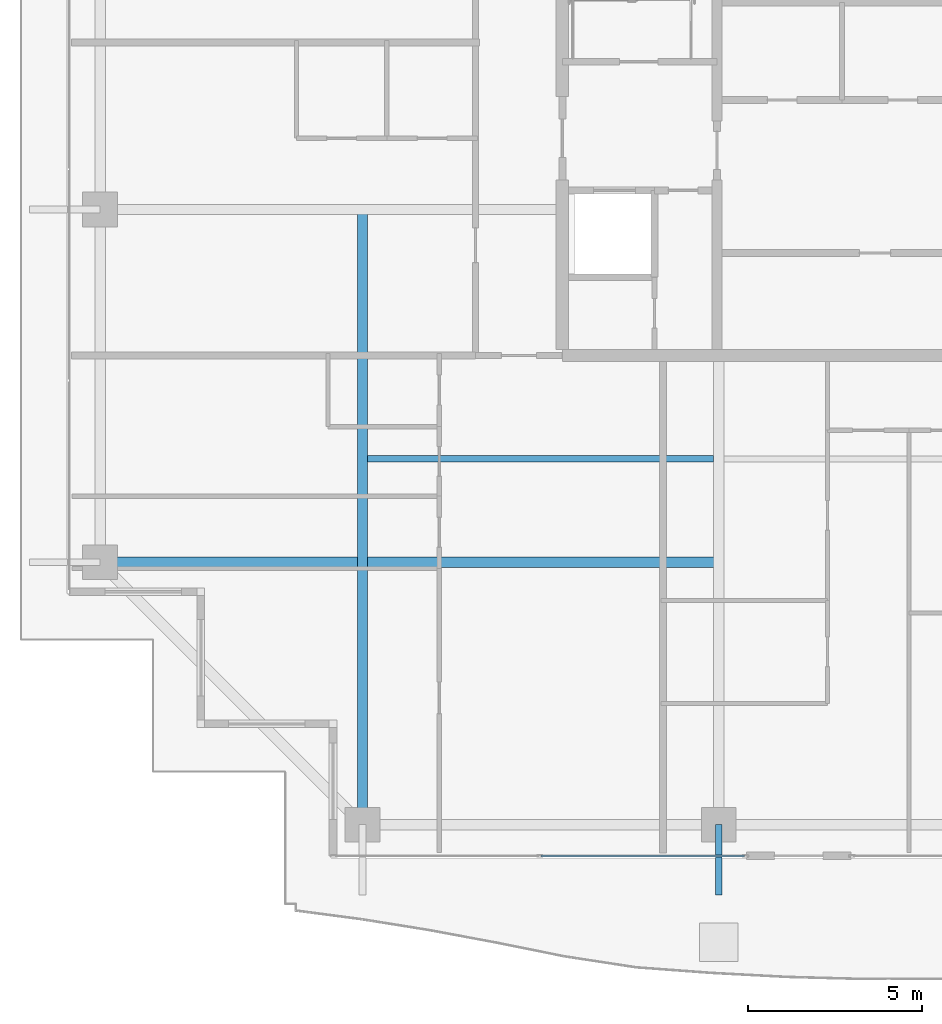
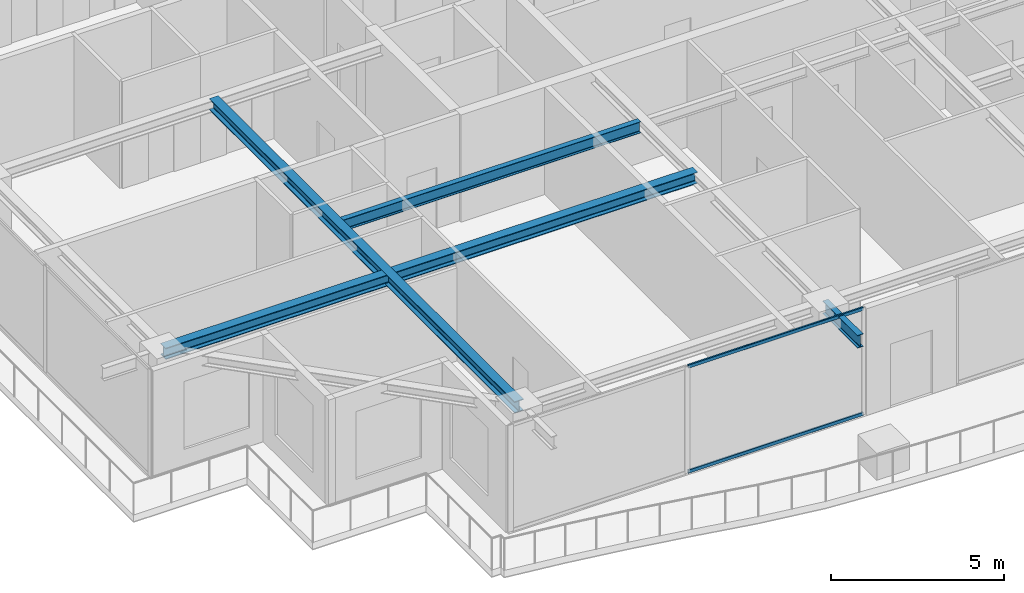
# One storey, part 5 of 42: 4 beams, 2 members, 1 element without a shape of its own.
"""IFC4 building model written with IfcOpenShell, lengths in metres."""

from ifc_helpers import new_model, si_unit, direction, frame, origin, origin_2d, place, context, subcontext, project, spatial, hollow_rectangle, i_section, extrude, source, transform, mapped, material, layer, layer_set, material_profile, profile_set, type_object, element, aggregate, save


model = new_model("IFC4")

# Units and contexts
model_context = context("Model", 3, precision=1e-05, world=origin(), true_north=direction((0.0, 1.0)))
body_context = subcontext(model_context, "Body", "Model", "MODEL_VIEW")
ifc_project = project(units=[si_unit("LENGTHUNIT", "METRE"), si_unit("AREAUNIT", "SQUARE_METRE"), si_unit("VOLUMEUNIT", "CUBIC_METRE"), si_unit("PLANEANGLEUNIT", "RADIAN"), si_unit("MASSUNIT", "GRAM", prefix="KILO")], contexts=[model_context])

# Site, building, storey
site_placement = place(None, origin())
site = spatial("IfcSite", under=ifc_project, at=site_placement, CompositionType="ELEMENT")
building_placement = place(site_placement, origin())
building = spatial("IfcBuilding", under=site, at=building_placement, Name="Serunith Strait Residences", CompositionType="ELEMENT")
storey_placement = place(building_placement, frame((0.0, 0.0, 325.85009765625)))
storey = spatial("IfcBuildingStorey", under=building, at=storey_placement, Name="L81", CompositionType="ELEMENT", Elevation=325.85009765625)

# Beams
ifc_material_1 = material(Name="Steel S355J2", Category="steel")
ifc_material_profile_1 = material_profile(ifc_material_1, i_section(OverallWidth=0.300048828125, OverallDepth=0.39990234375, WebThickness=0.013427734375, FlangeThickness=0.02392578125, FilletRadius=0.027099609375, at=origin_2d()), Name="HEB 400")
ifc_profile_set_1 = profile_set([ifc_material_profile_1], Name="Steel S355J2")
beam_type_1 = type_object("IfcBeamType", Name="BM-HEB400", PredefinedType="BEAM", material=ifc_profile_set_1)
shared_shape_1 = source(origin(), body_context, "Body", "SweptSolid", [
    extrude(i_section(OverallWidth=0.300048828125, OverallDepth=0.39990234375, WebThickness=0.013427734375, FlangeThickness=0.02392578125, FilletRadius=0.027099609375, at=origin_2d()), origin(), (0.0, 0.0, 1.0), 17.699951171875),
])
beam_1_placement = place(storey_placement, frame((17.64990234375, 21.0, 3.5869140625), z_axis=(0.0, -1.0, 0.0), x_axis=(1.0, 0.0, 0.0)))
element("IfcBeam", 1, at=beam_1_placement, inside=storey, type_object=beam_type_1, Name="L81 Orthogonal Corner Girder TC-S1", PredefinedType="BEAM", context=body_context, shape_type="MappedRepresentation", body=[
    mapped(shared_shape_1, transform((0.0, 0.0, 0.0), scale=1.0)),
])
shared_shape_2 = source(origin(), body_context, "Body", "SweptSolid", [
    extrude(i_section(OverallWidth=0.300048828125, OverallDepth=0.39990234375, WebThickness=0.013427734375, FlangeThickness=0.02392578125, FilletRadius=0.027099609375, at=origin_2d()), origin(), (0.0, 0.0, 1.0), 17.7998046875),
])
beam_2_placement = place(storey_placement, frame((27.89990234375, 10.85009765625, 3.5869140625), z_axis=(-1.0, 0.0, 0.0), x_axis=(0.0, -1.0, 0.0)))
element("IfcBeam", 2, at=beam_2_placement, inside=storey, type_object=beam_type_1, Name="L81 Orthogonal Corner Girder TC-W1", PredefinedType="BEAM", context=body_context, shape_type="MappedRepresentation", body=[
    mapped(shared_shape_2, transform((0.0, 0.0, 0.0), scale=1.0)),
])
ifc_material_profile_2 = material_profile(ifc_material_1, i_section(OverallWidth=0.179931640625, OverallDepth=0.39990234375, WebThickness=0.008544921875, FlangeThickness=0.013427734375, FilletRadius=0.02099609375, at=origin_2d()), Name="IPE 400")
ifc_profile_set_2 = profile_set([ifc_material_profile_2], Name="Steel S355J2")
beam_type_2 = type_object("IfcBeamType", Name="BM-IPE400", PredefinedType="JOIST", material=ifc_profile_set_2)
shared_shape_3 = source(origin(), body_context, "Body", "SweptSolid", [
    extrude(i_section(OverallWidth=0.179931640625, OverallDepth=0.39990234375, WebThickness=0.008544921875, FlangeThickness=0.013427734375, FilletRadius=0.02099609375, at=origin_2d()), origin(), (0.0, 0.0, 1.0), 9.949951171875),
])
beam_3_placement = place(storey_placement, frame((17.800048828125, 13.824951171875, 3.5869140625), z_axis=(1.0, 0.0, 0.0), x_axis=(0.0, 1.0, 0.0)))
element("IfcBeam", 3, at=beam_3_placement, inside=storey, type_object=beam_type_2, Name="L81 Composite Floor Joist 01", PredefinedType="JOIST", context=body_context, shape_type="MappedRepresentation", body=[
    mapped(shared_shape_3, transform((0.0, 0.0, 0.0), scale=1.0)),
])
ifc_material_profile_3 = material_profile(ifc_material_1, i_section(OverallWidth=0.18994140625, OverallDepth=0.449951171875, WebThickness=0.009521484375, FlangeThickness=0.0146484375, FilletRadius=0.02099609375, at=origin_2d()), Name="IPE 450")
ifc_profile_set_3 = profile_set([ifc_material_profile_3], Name="Steel S355J2")
beam_type_3 = type_object("IfcBeamType", Name="BM-IPE450", PredefinedType="JOIST", material=ifc_profile_set_3)
shared_shape_4 = source(origin(), body_context, "Body", "SweptSolid", [
    extrude(i_section(OverallWidth=0.18994140625, OverallDepth=0.449951171875, WebThickness=0.009521484375, FlangeThickness=0.0146484375, FilletRadius=0.02099609375, at=origin_2d()), origin(), (0.0, 0.0, 1.0), 2.030029296875),
])
beam_4_placement = place(storey_placement, frame((27.89990234375, 3.300048828125, 3.531982421875), z_axis=(0.0, -1.0, 0.0), x_axis=(1.0, 0.0, 0.0)))
element("IfcBeam", 4, at=beam_4_placement, inside=storey, type_object=beam_type_3, Name="L82 Cantilevered Balcony Rib TC-S2", PredefinedType="JOIST", context=body_context, shape_type="MappedRepresentation", body=[
    mapped(shared_shape_4, transform((0.0, 0.0, 0.0), scale=1.0)),
])

# Curtain wall, members
ifc_material_2 = material(Name="Brushed Stainless-Silver Aluminium", Category="aluminium")
ifc_layer = layer(ifc_material_2, 0.199951171875, Name="Brushed Stainless-Silver Aluminium")
ifc_layer_set = layer_set([ifc_layer], Name="Brushed Stainless-Silver Aluminium")
curtain_wall_type = type_object("IfcCurtainWallType", Name="CW-SYS5", PredefinedType="NOTDEFINED", material=ifc_layer_set)
curtain_wall_placement = place(storey_placement, origin())
curtain_wall = element("IfcCurtainWall", 5, at=curtain_wall_placement, inside=storey, type_object=curtain_wall_type, Name="L81 S Unitised Fritted Curtain Wall", PredefinedType="NOTDEFINED")
ifc_material_profile_4 = material_profile(ifc_material_2, hollow_rectangle(XDim=0.06005859375, YDim=0.1201171875, WallThickness=0.00341796875, InnerFilletRadius=0.00537109375, OuterFilletRadius=0.0087890625, at=origin_2d()), Name="ALU 120x60x3.5")
ifc_profile_set_4 = profile_set([ifc_material_profile_4], Name="Brushed Stainless-Silver Aluminium")
member_type = type_object("IfcMemberType", Name="CW-SYS5-TRAN", PredefinedType="USERDEFINED", material=ifc_profile_set_4)
shared_shape_5 = source(origin(), body_context, "Body", "SweptSolid", [
    extrude(hollow_rectangle(XDim=0.06005859375, YDim=0.1201171875, WallThickness=0.00341796875, InnerFilletRadius=0.00537109375, OuterFilletRadius=0.0087890625, at=origin_2d()), origin(), (0.0, 0.0, 1.0), 5.8525390625),
])
member_1_placement = place(storey_placement, frame((22.782470703125, 2.39990234375, 0.02978515625), z_axis=(1.0, 0.0, 0.0), x_axis=(0.0, 1.0, 0.0)))
member_1 = element("IfcMember", 6, at=member_1_placement, type_object=member_type, Name="CW-5 transom 2.1", ObjectType="TRANSOM", PredefinedType="USERDEFINED", context=body_context, shape_type="MappedRepresentation", body=[
    mapped(shared_shape_5, transform((0.0, 0.0, 0.0), scale=1.0)),
])
member_2_placement = place(storey_placement, frame((22.782470703125, 2.39990234375, 3.744873046875), z_axis=(1.0, 0.0, 0.0), x_axis=(0.0, 1.0, 0.0)))
member_2 = element("IfcMember", 7, at=member_2_placement, type_object=member_type, Name="CW-5 transom 2.2", ObjectType="TRANSOM", PredefinedType="USERDEFINED", context=body_context, shape_type="MappedRepresentation", body=[
    mapped(shared_shape_5, transform((0.0, 0.0, 0.0), scale=1.0)),
])
aggregate(curtain_wall, [member_1, member_2])

save(model, "model.ifc")
